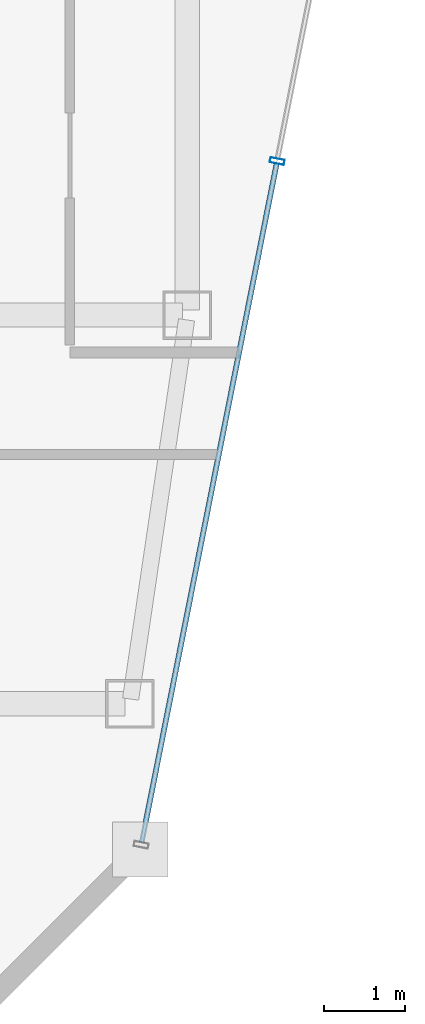
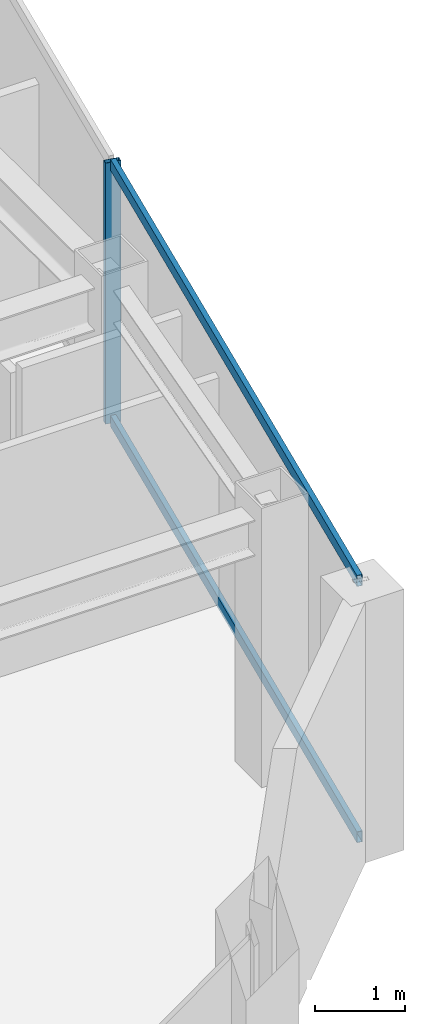
# One storey, part 14 of 24: 3 members, 1 element without a shape of its own.
"""IFC4 building model written with IfcOpenShell, lengths in metres."""

from ifc_helpers import new_model, si_unit, direction, frame, origin, origin_2d, place, context, subcontext, project, spatial, hollow_rectangle, extrude, material, material_profile, profile_set, type_object, element, aggregate, save


model = new_model("IFC4")

# Units and contexts
model_context = context("Model", 3, precision=1e-05, world=origin(), true_north=direction((0.0, 1.0)))
body_context = subcontext(model_context, "Body", "Model", "MODEL_VIEW")
ifc_project = project(units=[si_unit("LENGTHUNIT", "METRE"), si_unit("AREAUNIT", "SQUARE_METRE"), si_unit("VOLUMEUNIT", "CUBIC_METRE"), si_unit("PLANEANGLEUNIT", "RADIAN"), si_unit("MASSUNIT", "GRAM", prefix="KILO")], contexts=[model_context])

# Site, building, storey
site_placement = place(None, origin())
site = spatial("IfcSite", under=ifc_project, at=site_placement, CompositionType="ELEMENT")
building_placement = place(site_placement, origin())
building = spatial("IfcBuilding", under=site, at=building_placement, Name="Saevonmaru Cultural Tower", CompositionType="ELEMENT")
storey_placement = place(building_placement, frame((0.0, 0.0, 299.0)))
storey = spatial("IfcBuildingStorey", under=building, at=storey_placement, Name="L71", CompositionType="ELEMENT", Elevation=299.0)

# Curtain wall, members
ifc_material = material(Name="Satin Bronze Anodised Aluminium", Category="aluminium")
curtain_wall_type = type_object("IfcCurtainWallType", Name="CW-TYP-B", PredefinedType="NOTDEFINED", material=ifc_material)
curtain_wall_placement = place(storey_placement, origin())
curtain_wall = element("IfcCurtainWall", 1, at=curtain_wall_placement, inside=storey, type_object=curtain_wall_type, Name="L71 Unitised Curtain Wall E8", PredefinedType="NOTDEFINED")
ifc_material_profile_1 = material_profile(ifc_material, hollow_rectangle(XDim=0.06494140625, YDim=0.179931640625, WallThickness=0.00390625, at=origin_2d()), Name="ALU-MULL-180x65x4")
ifc_profile_set_1 = profile_set([ifc_material_profile_1], Name="Satin Bronze Anodised Aluminium")
member_type_1 = type_object("IfcMemberType", Name="ML-CW-180x65", PredefinedType="MULLION", material=ifc_profile_set_1)
member_1_placement = place(storey_placement, frame((54.31005859375, 44.300048828125, 0.0), z_axis=(0.0, 0.0, 1.0), x_axis=(0.195005484813, 0.980802151758, 0.0)))
member_1 = element("IfcMember", 2, at=member_1_placement, type_object=member_type_1, Name="CW-TW-L71-E8 mullion 2", PredefinedType="MULLION", context=body_context, shape_type="SweptSolid", body=[
    extrude(hollow_rectangle(XDim=0.06494140625, YDim=0.179931640625, WallThickness=0.00390625, at=origin_2d()), origin(), (0.0, 0.0, 1.0), 3.550048828125),
])
ifc_material_profile_2 = material_profile(ifc_material, hollow_rectangle(XDim=0.06494140625, YDim=0.14990234375, WallThickness=0.00390625, at=origin_2d()), Name="ALU-TRAN-150x65x4")
ifc_profile_set_2 = profile_set([ifc_material_profile_2], Name="Satin Bronze Anodised Aluminium")
member_type_2 = type_object("IfcMemberType", Name="TR-CW-150x65", PredefinedType="USERDEFINED", material=ifc_profile_set_2)
member_2_placement = place(storey_placement, frame((52.637939453125, 35.890625, 0.032470703125), z_axis=(0.195022161716, 0.980798835868, 0.0), x_axis=(-0.980798835868, 0.195022161716, 0.0)))
member_2 = element("IfcMember", 3, at=member_2_placement, type_object=member_type_2, Name="CW-TW-L71-E8 transom 1.1", ObjectType="TRANSOM", PredefinedType="USERDEFINED", context=body_context, shape_type="SweptSolid", body=[
    extrude(hollow_rectangle(XDim=0.06494140625, YDim=0.14990234375, WallThickness=0.00390625, at=origin_2d()), origin(), (0.0, 0.0, 1.0), 8.54150390625),
])
member_3_placement = place(storey_placement, frame((52.637939453125, 35.890625, 3.517578125), z_axis=(0.195022161716, 0.980798835868, 0.0), x_axis=(-0.980798835868, 0.195022161716, 0.0)))
member_3 = element("IfcMember", 4, at=member_3_placement, type_object=member_type_2, Name="CW-TW-L71-E8 transom 1.2", ObjectType="TRANSOM", PredefinedType="USERDEFINED", context=body_context, shape_type="SweptSolid", body=[
    extrude(hollow_rectangle(XDim=0.06494140625, YDim=0.14990234375, WallThickness=0.00390625, at=origin_2d()), origin(), (0.0, 0.0, 1.0), 8.54150390625),
])
aggregate(curtain_wall, [member_1, member_2, member_3])

save(model, "model.ifc")
